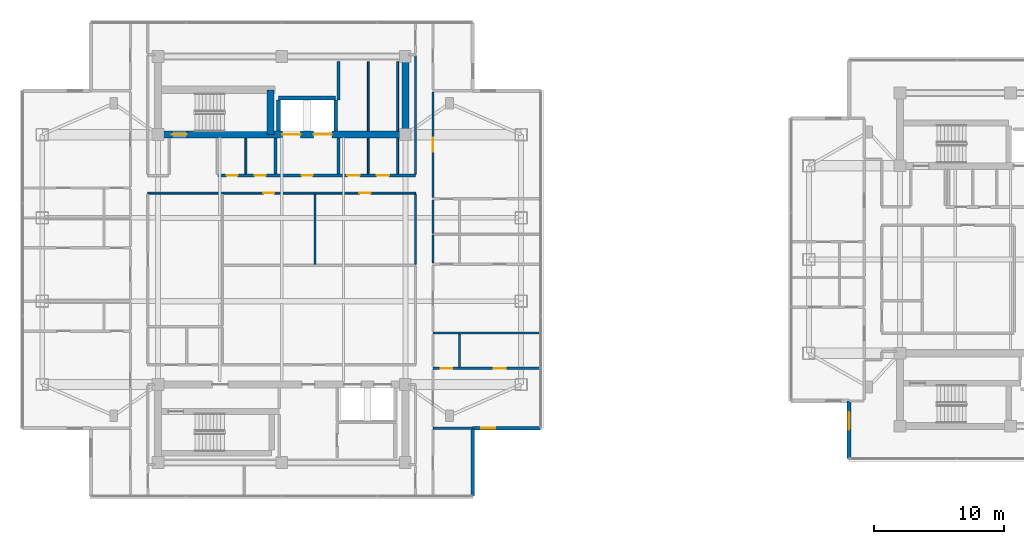
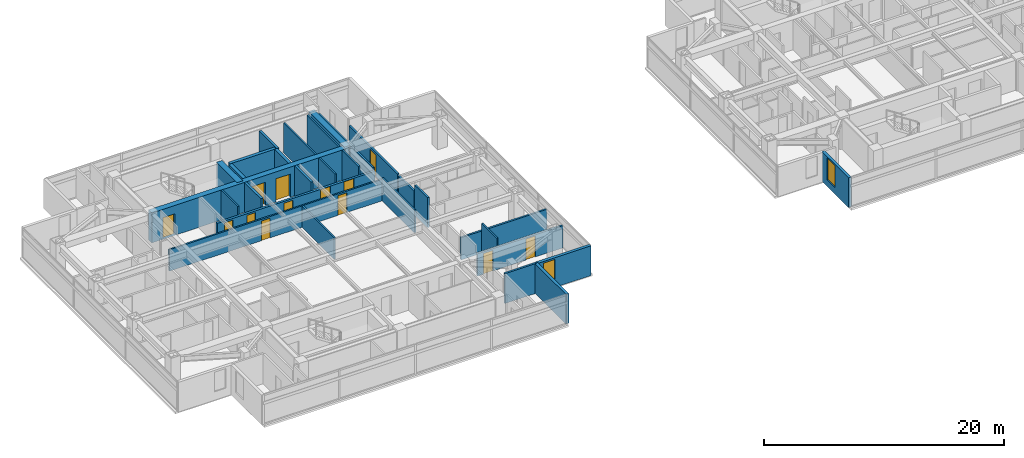
# One storey, part 14 of 24: 29 walls, 13 doors, 2 windows, 15 openings.
"""IFC4 building model written with IfcOpenShell, lengths in metres."""

from ifc_helpers import new_model, si_unit, direction, frame, frame_2d, origin, place, context, subcontext, project, spatial, rectangle, extrude, material, layer, layer_set, type_object, element, fill, save


model = new_model("IFC4")

# Units and contexts
model_context = context("Model", 3, precision=1e-05, world=origin(), true_north=direction((0.0, 1.0)))
body_context = subcontext(model_context, "Body", "Model", "MODEL_VIEW")
ifc_project = project(units=[si_unit("LENGTHUNIT", "METRE"), si_unit("AREAUNIT", "SQUARE_METRE"), si_unit("VOLUMEUNIT", "CUBIC_METRE"), si_unit("PLANEANGLEUNIT", "RADIAN"), si_unit("MASSUNIT", "GRAM", prefix="KILO")], contexts=[model_context])

# Site, building, storey
site_placement = place(None, origin())
site = spatial("IfcSite", under=ifc_project, at=site_placement, CompositionType="ELEMENT")
building_placement = place(site_placement, origin())
building = spatial("IfcBuilding", under=site, at=building_placement, Name="Mirazonda Arch Towers", CompositionType="ELEMENT")
storey_placement = place(building_placement, frame((0.0, 0.0, 190.14990234375)))
storey = spatial("IfcBuildingStorey", under=building, at=storey_placement, Name="L54", CompositionType="ELEMENT", Elevation=190.14990234375)

# Wall
ifc_material_1 = material(Name="Concrete C50/60", Category="concrete")
ifc_layer_1 = layer(ifc_material_1, 0.550048828125, Name="WALL-CORE-550")
ifc_layer_set_1 = layer_set([ifc_layer_1], Name="Concrete C50/60")
wall_type_1 = type_object("IfcWallType", Name="WALL-CORE-550", PredefinedType="SHEAR", material=ifc_layer_set_1)
wall_1_placement = place(storey_placement, frame((30.0, 37.60009765625, 0.0), z_axis=(0.0, 0.0, 1.0), x_axis=(0.0, 1.0, 0.0)))
element("IfcWall", 1, at=wall_1_placement, inside=storey, type_object=wall_type_1, Name="L54 T1N-E Core Shear Wall", PredefinedType="SHEAR", context=body_context, shape_type="SweptSolid", body=[
    extrude(rectangle(XDim=6.0, YDim=0.550048828125, at=frame_2d((3.0, 0.0))), origin(), (0.0, 0.0, 1.0), 3.050048828125),
])

# Wall, openings, doors
wall_2_placement = place(storey_placement, frame((11.0, 37.60009765625, 0.0), z_axis=(0.0, 0.0, 1.0), x_axis=(1.0, 0.0, 0.0)))
wall_2 = element("IfcWall", 2, at=wall_2_placement, inside=storey, type_object=wall_type_1, Name="L54 T1N-S Core Shear Wall", PredefinedType="SHEAR", context=body_context, shape_type="SweptSolid", body=[
    extrude(rectangle(XDim=19.0, YDim=0.550048828125, at=frame_2d((9.5, 0.0))), origin(), (0.0, 0.0, 1.0), 3.050048828125),
])
opening_1_placement = place(wall_2_placement, frame((1.06005859375, 0.0, 0.0)))
opening_1 = element("IfcOpeningElement", 3, at=opening_1_placement, cuts=wall_2, Name="Opening DR-135", PredefinedType="OPENING", context=body_context, shape_type="SweptSolid", body=[
    extrude(rectangle(XDim=1.14990234375, YDim=2.199951171875, at=frame_2d((0.574951171875, 1.10009765625))), frame((0.0, 0.284912109375, 0.0), z_axis=(0.0, -1.0, 0.0), x_axis=(1.0, 0.0, 0.0)), (0.0, 0.0, 1.0), 0.570068359375),
])
opening_2_placement = place(wall_2_placement, frame((9.550048828125, 0.0, 0.0)))
opening_2 = element("IfcOpeningElement", 4, at=opening_2_placement, cuts=wall_2, Name="Opening LD-112", PredefinedType="OPENING", context=body_context, shape_type="SweptSolid", body=[
    extrude(rectangle(XDim=1.39990234375, YDim=2.35009765625, at=frame_2d((0.699951171875, 1.175048828125))), frame((0.0, 0.284912109375, 0.0), z_axis=(0.0, -1.0, 0.0), x_axis=(1.0, 0.0, 0.0)), (0.0, 0.0, 1.0), 0.570068359375),
])
opening_3_placement = place(wall_2_placement, frame((11.949951171875, 0.0, 0.0)))
opening_3 = element("IfcOpeningElement", 5, at=opening_3_placement, cuts=wall_2, Name="Opening LD-112", PredefinedType="OPENING", context=body_context, shape_type="SweptSolid", body=[
    extrude(rectangle(XDim=1.39990234375, YDim=2.35009765625, at=frame_2d((0.699951171875, 1.175048828125))), frame((0.0, 0.284912109375, 0.0), z_axis=(0.0, -1.0, 0.0), x_axis=(1.0, 0.0, 0.0)), (0.0, 0.0, 1.0), 0.570068359375),
])
ifc_material_2 = material(Name="Architectural Brushed Steel S355", Category="steel")
door_type_1 = type_object("IfcDoorType", Name="DOOR-LIFT-FFL-1400", OperationType="NOTDEFINED", PredefinedType="DOOR", material=ifc_material_2)
door_1_placement = place(opening_2_placement, origin())
door_1 = element("IfcDoor", 6, at=door_1_placement, inside=storey, type_object=door_type_1, Name="L54 Lift Landing Sliding Door FFL-T1", OperationType="DOUBLE_DOOR_SLIDING", OverallHeight=2.35009765625, OverallWidth=1.39990234375, PredefinedType="DOOR", context=body_context, shape_type="SweptSolid", body=[
    extrude(rectangle(XDim=1.39990234375, YDim=2.35009765625, at=frame_2d((0.699951171875, 1.175048828125))), frame((0.0, 0.02490234375, 0.0), z_axis=(0.0, -1.0, 0.0), x_axis=(1.0, 0.0, 0.0)), (0.0, 0.0, 1.0), 0.050048828125),
])
fill(opening_2, door_1)
door_2_placement = place(opening_3_placement, origin())
door_2 = element("IfcDoor", 7, at=door_2_placement, inside=storey, type_object=door_type_1, Name="L54 Lift Landing Sliding Door SVL-T1", OperationType="DOUBLE_DOOR_SLIDING", OverallHeight=2.35009765625, OverallWidth=1.39990234375, PredefinedType="DOOR", context=body_context, shape_type="SweptSolid", body=[
    extrude(rectangle(XDim=1.39990234375, YDim=2.35009765625, at=frame_2d((0.699951171875, 1.175048828125))), frame((0.0, 0.02490234375, 0.0), z_axis=(0.0, -1.0, 0.0), x_axis=(1.0, 0.0, 0.0)), (0.0, 0.0, 1.0), 0.050048828125),
])
fill(opening_3, door_2)
door_type_2 = type_object("IfcDoorType", Name="DOOR-STAIR-FD90-1150", OperationType="NOTDEFINED", PredefinedType="DOOR", material=ifc_material_2)
door_3_placement = place(opening_1_placement, origin())
door_3 = element("IfcDoor", 8, at=door_3_placement, inside=storey, type_object=door_type_2, Name="L54 Protected Exit Stair North Door", OperationType="SINGLE_SWING_RIGHT", OverallHeight=2.199951171875, OverallWidth=1.14990234375, PredefinedType="DOOR", context=body_context, shape_type="SweptSolid", body=[
    extrude(rectangle(XDim=1.14990234375, YDim=2.199951171875, at=frame_2d((0.574951171875, 1.10009765625))), frame((0.0, 0.02490234375, 0.0), z_axis=(0.0, -1.0, 0.0), x_axis=(1.0, 0.0, 0.0)), (0.0, 0.0, 1.0), 0.050048828125),
])
fill(opening_1, door_3)

# Wall
wall_3_placement = place(storey_placement, frame((19.64990234375, 37.60009765625, 0.0), z_axis=(0.0, 0.0, 1.0), x_axis=(0.0, 1.0, 0.0)))
element("IfcWall", 9, at=wall_3_placement, inside=storey, type_object=wall_type_1, Name="L54 T1N-STE Core Shear Wall", PredefinedType="SHEAR", context=body_context, shape_type="SweptSolid", body=[
    extrude(rectangle(XDim=3.44287109375, YDim=0.550048828125, at=frame_2d((1.721435546875, 0.0))), origin(), (0.0, 0.0, 1.0), 3.050048828125),
])

# Wall, opening, window
ifc_material_3 = material(Name="Precast Concrete C40/50", Category="concrete")
ifc_layer_2 = layer(ifc_material_3, 0.280029296875, Name="WALL-EXT-WALL-280")
ifc_layer_set_2 = layer_set([ifc_layer_2], Name="Precast Concrete C40/50")
wall_type_2 = type_object("IfcWallType", Name="WALL-EXT-WALL-280", PredefinedType="SOLIDWALL", material=ifc_layer_set_2)
wall_4_placement = place(storey_placement, frame((35.175048828125, 15.029052734375, 0.0), z_axis=(0.0, 0.0, 1.0), x_axis=(1.0, 0.0, 0.0)))
wall_4 = element("IfcWall", 10, at=wall_4_placement, inside=storey, type_object=wall_type_2, Name="L54 T1 Corner Notch Return Wall WL-L54-T1-CSE1", PredefinedType="SOLIDWALL", context=body_context, shape_type="SweptSolid", body=[
    extrude(rectangle(XDim=5.21484375, YDim=0.280029296875, at=frame_2d((2.607421875, 0.0))), origin(), (0.0, 0.0, 1.0), 3.030029296875),
])
opening_4_placement = place(wall_4_placement, frame((0.64990234375, 0.0, 0.85009765625)))
opening_4 = element("IfcOpeningElement", 11, at=opening_4_placement, cuts=wall_4, Name="Opening WN-108", PredefinedType="OPENING", context=body_context, shape_type="SweptSolid", body=[
    extrude(rectangle(XDim=1.10009765625, YDim=2.0, at=frame_2d((0.550048828125, 1.0))), frame((0.0, 0.14990234375, 0.0), z_axis=(0.0, -1.0, 0.0), x_axis=(1.0, 0.0, 0.0)), (0.0, 0.0, 1.0), 0.300048828125),
])
ifc_material_4 = material(Name="Insulated Low-E Solar Glass", Category="glass")
window_type_1 = type_object("IfcWindowType", Name="WIN-NOTCH-1100x2000", PartitioningType="SINGLE_PANEL", PredefinedType="WINDOW", material=ifc_material_4)
window_1_placement = place(opening_4_placement, origin())
window_1 = element("IfcWindow", 12, at=window_1_placement, inside=storey, type_object=window_type_1, Name="L54 Punched Facade Window WN-L54-T1-CSE1", OverallHeight=2.0, OverallWidth=1.10009765625, PartitioningType="SINGLE_PANEL", PredefinedType="WINDOW", context=body_context, shape_type="SweptSolid", body=[
    extrude(rectangle(XDim=1.10009765625, YDim=2.0, at=frame_2d((0.550048828125, 1.0))), frame((0.0, 0.030029296875, 0.0), z_axis=(0.0, -1.0, 0.0), x_axis=(1.0, 0.0, 0.0)), (0.0, 0.0, 1.0), 0.06005859375),
])
fill(opening_4, window_1)

# Wall
wall_5_placement = place(storey_placement, frame((35.175048828125, 9.81396484375, 0.0), z_axis=(0.0, 0.0, 1.0), x_axis=(0.0, 1.0, 0.0)))
element("IfcWall", 13, at=wall_5_placement, inside=storey, type_object=wall_type_2, Name="L54 T1 Corner Notch Return Wall WL-L54-T1-CSE2", PredefinedType="SOLIDWALL", context=body_context, shape_type="SweptSolid", body=[
    extrude(rectangle(XDim=5.215087890625, YDim=0.280029296875, at=frame_2d((2.607421875, 0.0))), origin(), (0.0, 0.0, 1.0), 3.030029296875),
])

# Wall, opening, window
wall_6_placement = place(storey_placement, frame((64.086181640625, 17.134521484375, 0.0), z_axis=(0.0, 0.0, 1.0), x_axis=(0.0, -1.0, 0.0)))
wall_6 = element("IfcWall", 14, at=wall_6_placement, inside=storey, type_object=wall_type_2, Name="L54 T2 Notched SW Corner Wall WL-L54-T2-CSW", PredefinedType="SOLIDWALL", context=body_context, shape_type="SweptSolid", body=[
    extrude(rectangle(XDim=4.439697265625, YDim=0.280029296875, at=frame_2d((2.2197265625, 0.0))), origin(), (0.0, 0.0, 1.0), 3.030029296875),
])
opening_5_placement = place(wall_6_placement, frame((0.85009765625, 0.0, 0.679931640625)))
opening_5 = element("IfcOpeningElement", 15, at=opening_5_placement, cuts=wall_6, Name="Opening WN-104", PredefinedType="OPENING", context=body_context, shape_type="SweptSolid", body=[
    extrude(rectangle(XDim=1.35009765625, YDim=2.199951171875, at=frame_2d((0.675048828125, 1.10009765625))), frame((0.0, 0.14990234375, 0.0), z_axis=(0.0, -1.0, 0.0), x_axis=(1.0, 0.0, 0.0)), (0.0, 0.0, 1.0), 0.300048828125),
])
window_type_2 = type_object("IfcWindowType", Name="WIN-RES-1350x2200", PartitioningType="SINGLE_PANEL", PredefinedType="WINDOW", material=ifc_material_4)
window_2_placement = place(opening_5_placement, origin())
window_2 = element("IfcWindow", 16, at=window_2_placement, inside=storey, type_object=window_type_2, Name="L54 Punched Facade Window WN-L54-T2-CSW", OverallHeight=2.199951171875, OverallWidth=1.35009765625, PartitioningType="SINGLE_PANEL", PredefinedType="WINDOW", context=body_context, shape_type="SweptSolid", body=[
    extrude(rectangle(XDim=1.35009765625, YDim=2.199951171875, at=frame_2d((0.675048828125, 1.10009765625))), frame((0.0, 0.030029296875, 0.0), z_axis=(0.0, -1.0, 0.0), x_axis=(1.0, 0.0, 0.0)), (0.0, 0.0, 1.0), 0.06005859375),
])
fill(opening_5, window_2)

# Wall, openings, doors
ifc_material_5 = material(Name="Concrete C40/50", Category="concrete")
ifc_layer_3 = layer(ifc_material_5, 0.219970703125, Name="WALL-FFL-220")
ifc_layer_set_3 = layer_set([ifc_layer_3], Name="Concrete C40/50")
wall_type_3 = type_object("IfcWallType", Name="WALL-FFL-220", PredefinedType="SOLIDWALL", material=ifc_layer_set_3)
wall_7_placement = place(storey_placement, frame((15.590087890625, 34.449951171875, 0.0), z_axis=(0.0, 0.0, 1.0), x_axis=(1.0, 0.0, 0.0)))
wall_7 = element("IfcWall", 17, at=wall_7_placement, inside=storey, type_object=wall_type_3, Name="L54 Interior Partition 048", PredefinedType="SOLIDWALL", context=body_context, shape_type="SweptSolid", body=[
    extrude(rectangle(XDim=15.18994140625, YDim=0.219970703125, at=frame_2d((7.594970703125, 0.0))), origin(), (0.0, 0.0, 1.0), 2.18603515625),
])
opening_6_placement = place(wall_7_placement, frame((6.43505859375, 0.0, 0.0)))
opening_6 = element("IfcOpeningElement", 18, at=opening_6_placement, cuts=wall_7, Name="Opening DR-128", PredefinedType="OPENING", context=body_context, shape_type="SweptSolid", body=[
    extrude(rectangle(XDim=0.85009765625, YDim=2.010009765625, at=frame_2d((0.425048828125, 1.0048828125))), frame((0.0, 0.119873046875, 0.0), z_axis=(0.0, -1.0, 0.0), x_axis=(1.0, 0.0, 0.0)), (0.0, 0.0, 1.0), 0.239990234375),
])
opening_7_placement = place(wall_7_placement, frame((9.9599609375, 0.0, 0.0)))
opening_7 = element("IfcOpeningElement", 19, at=opening_7_placement, cuts=wall_7, Name="Opening DR-104", PredefinedType="OPENING", context=body_context, shape_type="SweptSolid", body=[
    extrude(rectangle(XDim=0.949951171875, YDim=2.14990234375, at=frame_2d((0.47509765625, 1.074951171875))), frame((0.0, 0.119873046875, 0.0), z_axis=(0.0, -1.0, 0.0), x_axis=(1.0, 0.0, 0.0)), (0.0, 0.0, 1.0), 0.239990234375),
])
opening_8_placement = place(wall_7_placement, frame((12.2099609375, 0.0, 0.0)))
opening_8 = element("IfcOpeningElement", 20, at=opening_8_placement, cuts=wall_7, Name="Opening DR-104", PredefinedType="OPENING", context=body_context, shape_type="SweptSolid", body=[
    extrude(rectangle(XDim=0.949951171875, YDim=2.14990234375, at=frame_2d((0.47509765625, 1.074951171875))), frame((0.0, 0.119873046875, 0.0), z_axis=(0.0, -1.0, 0.0), x_axis=(1.0, 0.0, 0.0)), (0.0, 0.0, 1.0), 0.239990234375),
])
opening_9_placement = place(wall_7_placement, frame((0.675048828125, 0.0, 0.0)))
opening_9 = element("IfcOpeningElement", 21, at=opening_9_placement, cuts=wall_7, Name="Opening DR-128", PredefinedType="OPENING", context=body_context, shape_type="SweptSolid", body=[
    extrude(rectangle(XDim=0.85009765625, YDim=2.010009765625, at=frame_2d((0.425048828125, 1.0048828125))), frame((0.0, 0.119873046875, 0.0), z_axis=(0.0, -1.0, 0.0), x_axis=(1.0, 0.0, 0.0)), (0.0, 0.0, 1.0), 0.239990234375),
])
opening_10_placement = place(wall_7_placement, frame((2.8349609375, 0.0, 0.0)))
opening_10 = element("IfcOpeningElement", 22, at=opening_10_placement, cuts=wall_7, Name="Opening DR-128", PredefinedType="OPENING", context=body_context, shape_type="SweptSolid", body=[
    extrude(rectangle(XDim=0.85009765625, YDim=2.010009765625, at=frame_2d((0.425048828125, 1.0048828125))), frame((0.0, 0.119873046875, 0.0), z_axis=(0.0, -1.0, 0.0), x_axis=(1.0, 0.0, 0.0)), (0.0, 0.0, 1.0), 0.239990234375),
])
door_type_3 = type_object("IfcDoorType", Name="DOOR-RISER-FD60-850", OperationType="NOTDEFINED", PredefinedType="DOOR", material=ifc_material_2)
door_4_placement = place(opening_6_placement, origin())
door_4 = element("IfcDoor", 23, at=door_4_placement, inside=storey, type_object=door_type_3, Name="L54 Firefighting Lift Lobby Door", OperationType="SINGLE_SWING_LEFT", OverallHeight=2.010009765625, OverallWidth=0.85009765625, PredefinedType="DOOR", context=body_context, shape_type="SweptSolid", body=[
    extrude(rectangle(XDim=0.85009765625, YDim=2.010009765625, at=frame_2d((0.425048828125, 1.0048828125))), frame((0.0, 0.02490234375, 0.0), z_axis=(0.0, -1.0, 0.0), x_axis=(1.0, 0.0, 0.0)), (0.0, 0.0, 1.0), 0.050048828125),
])
fill(opening_6, door_4)
door_5_placement = place(opening_9_placement, origin())
door_5 = element("IfcDoor", 24, at=door_5_placement, inside=storey, type_object=door_type_3, Name="L54 Electrical Room Door", OperationType="SINGLE_SWING_RIGHT", OverallHeight=2.010009765625, OverallWidth=0.85009765625, PredefinedType="DOOR", context=body_context, shape_type="SweptSolid", body=[
    extrude(rectangle(XDim=0.85009765625, YDim=2.010009765625, at=frame_2d((0.425048828125, 1.0048828125))), frame((0.0, 0.02490234375, 0.0), z_axis=(0.0, -1.0, 0.0), x_axis=(1.0, 0.0, 0.0)), (0.0, 0.0, 1.0), 0.050048828125),
])
fill(opening_9, door_5)
door_6_placement = place(opening_10_placement, origin())
door_6 = element("IfcDoor", 25, at=door_6_placement, inside=storey, type_object=door_type_3, Name="L54 Cleaners & Housekeeping Store Door", OperationType="SINGLE_SWING_LEFT", OverallHeight=2.010009765625, OverallWidth=0.85009765625, PredefinedType="DOOR", context=body_context, shape_type="SweptSolid", body=[
    extrude(rectangle(XDim=0.85009765625, YDim=2.010009765625, at=frame_2d((0.425048828125, 1.0048828125))), frame((0.0, 0.02490234375, 0.0), z_axis=(0.0, -1.0, 0.0), x_axis=(1.0, 0.0, 0.0)), (0.0, 0.0, 1.0), 0.050048828125),
])
fill(opening_10, door_6)
door_type_4 = type_object("IfcDoorType", Name="DOOR-ROOM-950", OperationType="NOTDEFINED", PredefinedType="DOOR", material=ifc_material_2)
door_7_placement = place(opening_7_placement, origin())
door_7 = element("IfcDoor", 26, at=door_7_placement, inside=storey, type_object=door_type_4, Name="L54 Residents Private Art Gallery Door", OperationType="SINGLE_SWING_RIGHT", OverallHeight=2.14990234375, OverallWidth=0.949951171875, PredefinedType="DOOR", context=body_context, shape_type="SweptSolid", body=[
    extrude(rectangle(XDim=0.949951171875, YDim=2.14990234375, at=frame_2d((0.47509765625, 1.074951171875))), frame((0.0, 0.02490234375, 0.0), z_axis=(0.0, -1.0, 0.0), x_axis=(1.0, 0.0, 0.0)), (0.0, 0.0, 1.0), 0.050048828125),
])
fill(opening_7, door_7)
door_8_placement = place(opening_8_placement, origin())
door_8 = element("IfcDoor", 27, at=door_8_placement, inside=storey, type_object=door_type_4, Name="L54 Private Quiet Study Door", OperationType="SINGLE_SWING_LEFT", OverallHeight=2.14990234375, OverallWidth=0.949951171875, PredefinedType="DOOR", context=body_context, shape_type="SweptSolid", body=[
    extrude(rectangle(XDim=0.949951171875, YDim=2.14990234375, at=frame_2d((0.47509765625, 1.074951171875))), frame((0.0, 0.02490234375, 0.0), z_axis=(0.0, -1.0, 0.0), x_axis=(1.0, 0.0, 0.0)), (0.0, 0.0, 1.0), 0.050048828125),
])
fill(opening_8, door_8)

# Walls
for number, where, z_axis, x_axis, name in (
    (28, (20.02490234375, 34.570068359375, 0.0), (0.0, 0.0, 1.0), (0.0, 1.0, 0.0), "L54 Interior Partition 086"),
    (29, (24.85009765625, 34.570068359375, 0.0), (0.0, 0.0, 1.0), (0.0, 1.0, 0.0), "L54 Interior Partition 094"),
):
    element("IfcWall", number, at=place(storey_placement, frame(where, z_axis=z_axis, x_axis=x_axis)), inside=storey, type_object=wall_type_3, Name=name, PredefinedType="SOLIDWALL", context=body_context, shape_type="SweptSolid", body=[
        extrude(rectangle(XDim=2.760009765625, YDim=0.219970703125, at=frame_2d((1.3798828125, 0.0))), origin(), (0.0, 0.0, 1.0), 3.050048828125),
    ])
wall_8_placement = place(storey_placement, frame((24.85009765625, 40.260009765625, 0.0), z_axis=(0.0, 0.0, 1.0), x_axis=(0.0, 1.0, 0.0)))
element("IfcWall", 30, at=wall_8_placement, inside=storey, type_object=wall_type_3, Name="L54 Interior Partition 095", PredefinedType="SOLIDWALL", context=body_context, shape_type="SweptSolid", body=[
    extrude(rectangle(XDim=2.93994140625, YDim=0.219970703125, at=frame_2d((1.469970703125, 0.0))), origin(), (0.0, 0.0, 1.0), 3.050048828125),
])

# Wall, openings, doors
ifc_material_6 = material(Name="Fire-Rated Gypsum Stud Partition")
ifc_layer_4 = layer(ifc_material_6, 0.14990234375, Name="WALL-PART-CORR-150")
ifc_layer_set_4 = layer_set([ifc_layer_4], Name="Fire-Rated Gypsum Stud Partition")
wall_type_4 = type_object("IfcWallType", Name="WALL-PART-CORR-150", PredefinedType="PARTITIONING", material=ifc_layer_set_4)
wall_9_placement = place(storey_placement, frame((10.219970703125, 33.10009765625, 0.0), z_axis=(0.0, 0.0, 1.0), x_axis=(1.0, 0.0, 0.0)))
wall_9 = element("IfcWall", 31, at=wall_9_placement, inside=storey, type_object=wall_type_4, Name="L54 Interior Partition 045", PredefinedType="PARTITIONING", context=body_context, shape_type="SweptSolid", body=[
    extrude(rectangle(XDim=20.56005859375, YDim=0.14990234375, at=frame_2d((10.280029296875, 0.0))), origin(), (0.0, 0.0, 1.0), 2.18603515625),
])
opening_11_placement = place(wall_9_placement, frame((8.84912109375, 0.0, 0.0)))
opening_11 = element("IfcOpeningElement", 32, at=opening_11_placement, cuts=wall_9, Name="Opening DR-128", PredefinedType="OPENING", context=body_context, shape_type="SweptSolid", body=[
    extrude(rectangle(XDim=0.85009765625, YDim=2.010009765625, at=frame_2d((0.425048828125, 1.0048828125))), frame((0.0, 0.0849609375, 0.0), z_axis=(0.0, -1.0, 0.0), x_axis=(1.0, 0.0, 0.0)), (0.0, 0.0, 1.0), 0.169921875),
])
opening_12_placement = place(wall_9_placement, frame((16.25390625, 0.0, 0.0)))
opening_12 = element("IfcOpeningElement", 33, at=opening_12_placement, cuts=wall_9, Name="Opening DR-128", PredefinedType="OPENING", context=body_context, shape_type="SweptSolid", body=[
    extrude(rectangle(XDim=0.85009765625, YDim=2.010009765625, at=frame_2d((0.425048828125, 1.0048828125))), frame((0.0, 0.0849609375, 0.0), z_axis=(0.0, -1.0, 0.0), x_axis=(1.0, 0.0, 0.0)), (0.0, 0.0, 1.0), 0.169921875),
])
door_9_placement = place(opening_11_placement, origin())
door_9 = element("IfcDoor", 34, at=door_9_placement, inside=storey, type_object=door_type_3, Name="L54 Business Reading Study Door", OperationType="SINGLE_SWING_RIGHT", OverallHeight=2.010009765625, OverallWidth=0.85009765625, PredefinedType="DOOR", context=body_context, shape_type="SweptSolid", body=[
    extrude(rectangle(XDim=0.85009765625, YDim=2.010009765625, at=frame_2d((0.425048828125, 1.0048828125))), frame((0.0, 0.02490234375, 0.0), z_axis=(0.0, -1.0, 0.0), x_axis=(1.0, 0.0, 0.0)), (0.0, 0.0, 1.0), 0.050048828125),
])
fill(opening_11, door_9)
door_10_placement = place(opening_12_placement, origin())
door_10 = element("IfcDoor", 35, at=door_10_placement, inside=storey, type_object=door_type_3, Name="L54 Private Meeting Suite Door", OperationType="SINGLE_SWING_LEFT", OverallHeight=2.010009765625, OverallWidth=0.85009765625, PredefinedType="DOOR", context=body_context, shape_type="SweptSolid", body=[
    extrude(rectangle(XDim=0.85009765625, YDim=2.010009765625, at=frame_2d((0.425048828125, 1.0048828125))), frame((0.0, 0.02490234375, 0.0), z_axis=(0.0, -1.0, 0.0), x_axis=(1.0, 0.0, 0.0)), (0.0, 0.0, 1.0), 0.050048828125),
])
fill(opening_12, door_10)

# Walls
wall_10_placement = place(storey_placement, frame((17.75, 34.570068359375, 0.0), z_axis=(0.0, 0.0, 1.0), x_axis=(0.0, 1.0, 0.0)))
element("IfcWall", 36, at=wall_10_placement, inside=storey, type_object=wall_type_4, Name="L54 Interior Partition 084", PredefinedType="PARTITIONING", context=body_context, shape_type="SweptSolid", body=[
    extrude(rectangle(XDim=2.760009765625, YDim=0.14990234375, at=frame_2d((1.3798828125, 0.0))), origin(), (0.0, 0.0, 1.0), 3.050048828125),
])
wall_11_placement = place(storey_placement, frame((23.05810546875, 27.64111328125, 0.0), z_axis=(0.0, 0.0, 1.0), x_axis=(0.0, 1.0, 0.0)))
element("IfcWall", 37, at=wall_11_placement, inside=storey, type_object=wall_type_4, Name="L54 Interior Partition 090", PredefinedType="PARTITIONING", context=body_context, shape_type="SweptSolid", body=[
    extrude(rectangle(XDim=5.373779296875, YDim=0.14990234375, at=frame_2d((2.68701171875, 0.0))), origin(), (0.0, 0.0, 1.0), 2.18603515625),
])
wall_12_placement = place(storey_placement, frame((27.14990234375, 34.570068359375, 0.0), z_axis=(0.0, 0.0, 1.0), x_axis=(0.0, 1.0, 0.0)))
element("IfcWall", 38, at=wall_12_placement, inside=storey, type_object=wall_type_4, Name="L54 Interior Partition 096", PredefinedType="PARTITIONING", context=body_context, shape_type="SweptSolid", body=[
    extrude(rectangle(XDim=2.760009765625, YDim=0.14990234375, at=frame_2d((1.3798828125, 0.0))), origin(), (0.0, 0.0, 1.0), 3.050048828125),
])
wall_13_placement = place(storey_placement, frame((27.14990234375, 37.8701171875, 0.0), z_axis=(0.0, 0.0, 1.0), x_axis=(0.0, 1.0, 0.0)))
element("IfcWall", 39, at=wall_13_placement, inside=storey, type_object=wall_type_4, Name="L54 Interior Partition 097", PredefinedType="PARTITIONING", context=body_context, shape_type="SweptSolid", body=[
    extrude(rectangle(XDim=5.329833984375, YDim=0.14990234375, at=frame_2d((2.6650390625, 0.0))), origin(), (0.0, 0.0, 1.0), 3.050048828125),
])
wall_14_placement = place(storey_placement, frame((29.39990234375, 34.570068359375, 0.0), z_axis=(0.0, 0.0, 1.0), x_axis=(0.0, 1.0, 0.0)))
element("IfcWall", 40, at=wall_14_placement, inside=storey, type_object=wall_type_4, Name="L54 Interior Partition 100", PredefinedType="PARTITIONING", context=body_context, shape_type="SweptSolid", body=[
    extrude(rectangle(XDim=2.760009765625, YDim=0.14990234375, at=frame_2d((1.3798828125, 0.0))), origin(), (0.0, 0.0, 1.0), 3.050048828125),
])
wall_15_placement = place(storey_placement, frame((29.39990234375, 37.8701171875, 0.0), z_axis=(0.0, 0.0, 1.0), x_axis=(0.0, 1.0, 0.0)))
element("IfcWall", 41, at=wall_15_placement, inside=storey, type_object=wall_type_4, Name="L54 Interior Partition 101", PredefinedType="PARTITIONING", context=body_context, shape_type="SweptSolid", body=[
    extrude(rectangle(XDim=5.329833984375, YDim=0.14990234375, at=frame_2d((2.6650390625, 0.0))), origin(), (0.0, 0.0, 1.0), 3.050048828125),
])
wall_16_placement = place(storey_placement, frame((30.780029296875, 27.64111328125, 0.0), z_axis=(0.0, 0.0, 1.0), x_axis=(0.0, 1.0, 0.0)))
element("IfcWall", 42, at=wall_16_placement, inside=storey, type_object=wall_type_4, Name="L54 Interior Partition 105", PredefinedType="PARTITIONING", context=body_context, shape_type="SweptSolid", body=[
    extrude(rectangle(XDim=5.373779296875, YDim=0.14990234375, at=frame_2d((2.68701171875, 0.0))), origin(), (0.0, 0.0, 1.0), 2.34619140625),
])
wall_17_placement = place(storey_placement, frame((30.780029296875, 34.570068359375, 0.0), z_axis=(0.0, 0.0, 1.0), x_axis=(0.0, 1.0, 0.0)))
element("IfcWall", 43, at=wall_17_placement, inside=storey, type_object=wall_type_4, Name="L54 Interior Partition 106", PredefinedType="PARTITIONING", context=body_context, shape_type="SweptSolid", body=[
    extrude(rectangle(XDim=9.094970703125, YDim=0.14990234375, at=frame_2d((4.54736328125, 0.0))), origin(), (0.0, 0.0, 1.0), 2.442138671875),
])
ifc_material_7 = material(Name="Fire-Rated Gypsum Twin-Stud Assembly")
ifc_layer_5 = layer(ifc_material_7, 0.179931640625, Name="WALL-PART-DEMISE-180")
ifc_layer_set_5 = layer_set([ifc_layer_5], Name="Fire-Rated Gypsum Twin-Stud Assembly")
wall_type_5 = type_object("IfcWallType", Name="WALL-PART-DEMISE-180", PredefinedType="PARTITIONING", material=ifc_layer_set_5)
wall_18_placement = place(storey_placement, frame((32.1201171875, 15.029052734375, 0.0), z_axis=(0.0, 0.0, 1.0), x_axis=(1.0, 0.0, 0.0)))
element("IfcWall", 44, at=wall_18_placement, inside=storey, type_object=wall_type_5, Name="L54 Interior Partition 005", PredefinedType="PARTITIONING", context=body_context, shape_type="SweptSolid", body=[
    extrude(rectangle(XDim=3.034912109375, YDim=0.179931640625, at=frame_2d((1.517578125, 0.0))), origin(), (0.0, 0.0, 1.0), 3.050048828125),
])

# Wall, openings, doors
wall_19_placement = place(storey_placement, frame((32.1201171875, 19.635009765625, 0.0), z_axis=(0.0, 0.0, 1.0), x_axis=(1.0, 0.0, 0.0)))
wall_19 = element("IfcWall", 45, at=wall_19_placement, inside=storey, type_object=wall_type_5, Name="L54 Interior Partition 014", PredefinedType="PARTITIONING", context=body_context, shape_type="SweptSolid", body=[
    extrude(rectangle(XDim=8.269775390625, YDim=0.179931640625, at=frame_2d((4.134765625, 0.0))), origin(), (0.0, 0.0, 1.0), 2.26904296875),
])
opening_13_placement = place(wall_19_placement, frame((4.659912109375, 0.0, 0.0)))
opening_13 = element("IfcOpeningElement", 46, at=opening_13_placement, cuts=wall_19, Name="Opening DR-104", PredefinedType="OPENING", context=body_context, shape_type="SweptSolid", body=[
    extrude(rectangle(XDim=0.949951171875, YDim=2.14990234375, at=frame_2d((0.47509765625, 1.074951171875))), frame((0.0, 0.099853515625, 0.0), z_axis=(0.0, -1.0, 0.0), x_axis=(1.0, 0.0, 0.0)), (0.0, 0.0, 1.0), 0.199951171875),
])
opening_14_placement = place(wall_19_placement, frame((0.590087890625, 0.0, 0.0)))
opening_14 = element("IfcOpeningElement", 47, at=opening_14_placement, cuts=wall_19, Name="Opening DR-120", PredefinedType="OPENING", context=body_context, shape_type="SweptSolid", body=[
    extrude(rectangle(XDim=0.89990234375, YDim=2.10009765625, at=frame_2d((0.449951171875, 1.050048828125))), frame((0.0, 0.099853515625, 0.0), z_axis=(0.0, -1.0, 0.0), x_axis=(1.0, 0.0, 0.0)), (0.0, 0.0, 1.0), 0.199951171875),
])
door_11_placement = place(opening_13_placement, origin())
door_11 = element("IfcDoor", 48, at=door_11_placement, inside=storey, type_object=door_type_4, Name="L54 Guestroom Study 1 Door", OperationType="SINGLE_SWING_LEFT", OverallHeight=2.14990234375, OverallWidth=0.949951171875, PredefinedType="DOOR", context=body_context, shape_type="SweptSolid", body=[
    extrude(rectangle(XDim=0.949951171875, YDim=2.14990234375, at=frame_2d((0.47509765625, 1.074951171875))), frame((0.0, 0.02490234375, 0.0), z_axis=(0.0, -1.0, 0.0), x_axis=(1.0, 0.0, 0.0)), (0.0, 0.0, 1.0), 0.050048828125),
])
fill(opening_13, door_11)
door_type_5 = type_object("IfcDoorType", Name="DOOR-WC-900", OperationType="NOTDEFINED", PredefinedType="DOOR", material=ifc_material_2)
door_12_placement = place(opening_14_placement, origin())
door_12 = element("IfcDoor", 49, at=door_12_placement, inside=storey, type_object=door_type_5, Name="L54 En-Suite Bathroom 1 Door", OperationType="SINGLE_SWING_RIGHT", OverallHeight=2.10009765625, OverallWidth=0.89990234375, PredefinedType="DOOR", context=body_context, shape_type="SweptSolid", body=[
    extrude(rectangle(XDim=0.89990234375, YDim=2.10009765625, at=frame_2d((0.449951171875, 1.050048828125))), frame((0.0, 0.02490234375, 0.0), z_axis=(0.0, -1.0, 0.0), x_axis=(1.0, 0.0, 0.0)), (0.0, 0.0, 1.0), 0.050048828125),
])
fill(opening_14, door_12)

# Walls
wall_20_placement = place(storey_placement, frame((32.1201171875, 22.35498046875, 0.0), z_axis=(0.0, 0.0, 1.0), x_axis=(1.0, 0.0, 0.0)))
element("IfcWall", 50, at=wall_20_placement, inside=storey, type_object=wall_type_5, Name="L54 Interior Partition 021", PredefinedType="PARTITIONING", context=body_context, shape_type="SweptSolid", body=[
    extrude(rectangle(XDim=8.269775390625, YDim=0.179931640625, at=frame_2d((4.134765625, 0.0))), origin(), (0.0, 0.0, 1.0), 2.26904296875),
])
wall_21_placement = place(storey_placement, frame((32.1201171875, 27.740966796875, 0.0), z_axis=(0.0, 0.0, 1.0), x_axis=(0.0, 1.0, 0.0)))
element("IfcWall", 51, at=wall_21_placement, inside=storey, type_object=wall_type_5, Name="L54 Interior Partition 112", PredefinedType="PARTITIONING", context=body_context, shape_type="SweptSolid", body=[
    extrude(rectangle(XDim=2.12744140625, YDim=0.179931640625, at=frame_2d((1.063720703125, 0.0))), origin(), (0.0, 0.0, 1.0), 3.050048828125),
])
wall_22_placement = place(storey_placement, frame((32.1201171875, 30.013427734375, 0.0), z_axis=(0.0, 0.0, 1.0), x_axis=(0.0, 1.0, 0.0)))
element("IfcWall", 52, at=wall_22_placement, inside=storey, type_object=wall_type_5, Name="L54 Interior Partition 113", PredefinedType="PARTITIONING", context=body_context, shape_type="SweptSolid", body=[
    extrude(rectangle(XDim=2.547607421875, YDim=0.179931640625, at=frame_2d((1.27392578125, 0.0))), origin(), (0.0, 0.0, 1.0), 2.34619140625),
])

# Wall, opening, door
wall_23_placement = place(storey_placement, frame((32.1201171875, 32.760986328125, 0.0), z_axis=(0.0, 0.0, 1.0), x_axis=(0.0, 1.0, 0.0)))
wall_23 = element("IfcWall", 53, at=wall_23_placement, inside=storey, type_object=wall_type_5, Name="L54 Interior Partition 114", PredefinedType="PARTITIONING", context=body_context, shape_type="SweptSolid", body=[
    extrude(rectangle(XDim=8.110107421875, YDim=0.179931640625, at=frame_2d((4.05517578125, 0.0))), origin(), (0.0, 0.0, 1.0), 2.442138671875),
])
opening_15_placement = place(wall_23_placement, frame((3.530029296875, 0.0, 0.0)))
opening_15 = element("IfcOpeningElement", 54, at=opening_15_placement, cuts=wall_23, Name="Opening DR-121", PredefinedType="OPENING", context=body_context, shape_type="SweptSolid", body=[
    extrude(rectangle(XDim=1.050048828125, YDim=2.199951171875, at=frame_2d((0.52490234375, 1.10009765625))), frame((0.0, 0.099853515625, 0.0), z_axis=(0.0, -1.0, 0.0), x_axis=(1.0, 0.0, 0.0)), (0.0, 0.0, 1.0), 0.199951171875),
])
door_type_6 = type_object("IfcDoorType", Name="DOOR-SUITE-FD60-1050", OperationType="NOTDEFINED", PredefinedType="DOOR", material=ifc_material_2)
door_13_placement = place(opening_15_placement, origin())
door_13 = element("IfcDoor", 55, at=door_13_placement, inside=storey, type_object=door_type_6, Name="L54 King Hotel Guestroom 3 Door", OperationType="SINGLE_SWING_RIGHT", OverallHeight=2.199951171875, OverallWidth=1.050048828125, PredefinedType="DOOR", context=body_context, shape_type="SweptSolid", body=[
    extrude(rectangle(XDim=1.050048828125, YDim=2.199951171875, at=frame_2d((0.52490234375, 1.10009765625))), frame((0.0, 0.02490234375, 0.0), z_axis=(0.0, -1.0, 0.0), x_axis=(1.0, 0.0, 0.0)), (0.0, 0.0, 1.0), 0.050048828125),
])
fill(opening_15, door_13)

# Walls
ifc_material_8 = material(Name="Acoustic Fire-Rated Gypsum Partition")
ifc_layer_6 = layer(ifc_material_8, 0.125, Name="WALL-PART-UNIT-125")
ifc_layer_set_6 = layer_set([ifc_layer_6], Name="Acoustic Fire-Rated Gypsum Partition")
wall_type_6 = type_object("IfcWallType", Name="WALL-PART-UNIT-125", PredefinedType="PARTITIONING", material=ifc_layer_set_6)
wall_24_placement = place(storey_placement, frame((34.159912109375, 19.735107421875, 0.0), z_axis=(0.0, 0.0, 1.0), x_axis=(0.0, 1.0, 0.0)))
element("IfcWall", 56, at=wall_24_placement, inside=storey, type_object=wall_type_6, Name="L54 Interior Partition 116", PredefinedType="PARTITIONING", context=body_context, shape_type="SweptSolid", body=[
    extrude(rectangle(XDim=2.519775390625, YDim=0.125, at=frame_2d((1.259765625, 0.0))), origin(), (0.0, 0.0, 1.0), 3.050048828125),
])
ifc_layer_7 = layer(ifc_material_1, 0.300048828125, Name="WALL-SHAFT-300")
ifc_layer_set_7 = layer_set([ifc_layer_7], Name="Concrete C50/60")
wall_type_7 = type_object("IfcWallType", Name="WALL-SHAFT-300", PredefinedType="SOLIDWALL", material=ifc_layer_set_7)
wall_25_placement = place(storey_placement, frame((20.25, 40.39990234375, 0.0), z_axis=(0.0, 0.0, 1.0), x_axis=(1.0, 0.0, 0.0)))
element("IfcWall", 57, at=wall_25_placement, inside=storey, type_object=wall_type_7, Name="L54 Interior Partition 055", PredefinedType="SOLIDWALL", context=body_context, shape_type="SweptSolid", body=[
    extrude(rectangle(XDim=4.39990234375, YDim=0.300048828125, at=frame_2d((2.199951171875, 0.0))), origin(), (0.0, 0.0, 1.0), 3.050048828125),
])
for number, where, z_axis, x_axis, name in (
    (58, (20.25, 37.8701171875, 0.0), (0.0, 0.0, 1.0), (0.0, 1.0, 0.0), "L54 Interior Partition 089"),
    (59, (24.64990234375, 37.8701171875, 0.0), (0.0, 0.0, 1.0), (0.0, 1.0, 0.0), "L54 Interior Partition 093"),
):
    element("IfcWall", number, at=place(storey_placement, frame(where, z_axis=z_axis, x_axis=x_axis)), inside=storey, type_object=wall_type_7, Name=name, PredefinedType="SOLIDWALL", context=body_context, shape_type="SweptSolid", body=[
        extrude(rectangle(XDim=2.369873046875, YDim=0.300048828125, at=frame_2d((1.18505859375, 0.0))), origin(), (0.0, 0.0, 1.0), 3.050048828125),
    ])

save(model, "model.ifc")
